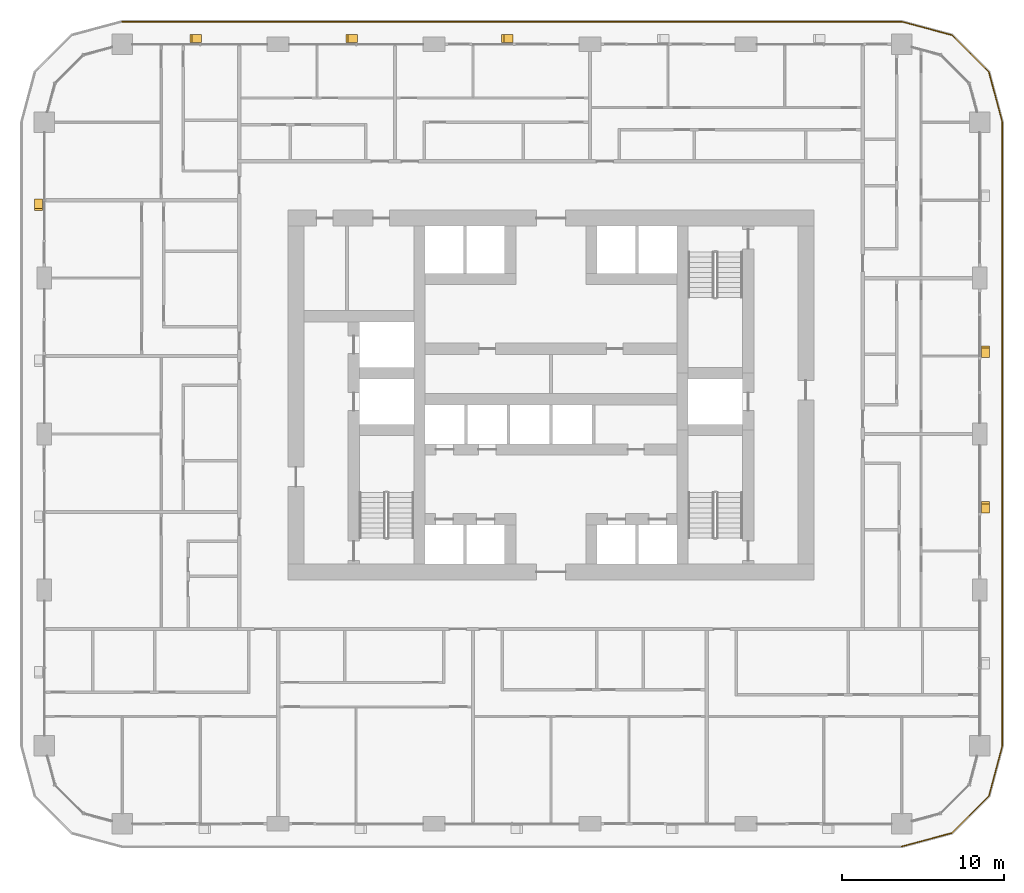
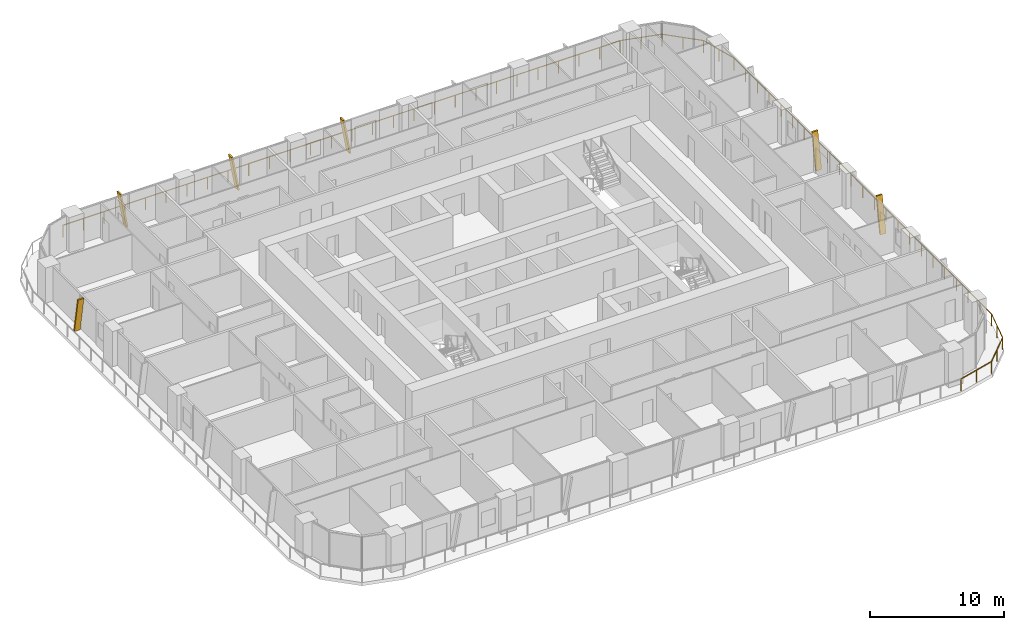
# One storey, part 20 of 21: 6 shading devices, 1 railing.
"""IFC4 building model written with IfcOpenShell, lengths in metres."""

import ifcopenshell
import ifcopenshell.guid

model = None  # the IFC model being written
_history = None  # IfcOwnerHistory: only IFC2X3 demands one
_inside = {}  # id of a spatial element -> (the spatial element, [elements in it])
_under = {}  # id of a project, library or spatial element -> (it, [spatial elements below it])
_declared = {}  # id of a project -> (the project, [libraries it declares])
_typed = {}  # id of a type object -> (the type object, [elements of that type])
_made_of = {}  # id of a material, layer set ... -> (it, [elements and type objects made of it])


def new_model(schema):
    """Start an empty IFC model of exactly this schema.

    Asked for "IFC4X3", IfcOpenShell would pick the latest addendum, in which some entities
    have other attributes; the version numbers below select the first issue.
    IFC2X3 requires an IfcOwnerHistory on every rooted entity: one is made here for all.
    """
    global model, _history
    if schema == "IFC4X3":
        model = ifcopenshell.file(schema_version=(4, 3, 0, 0))
    else:
        model = ifcopenshell.file(schema=schema)
    _inside.clear()
    _under.clear()
    _declared.clear()
    _typed.clear()
    _made_of.clear()
    _history = None
    if model.schema == "IFC2X3":
        org = make("IfcOrganization", Name="unknown")
        user = make(
            "IfcPersonAndOrganization",
            ThePerson=make("IfcPerson", FamilyName="unknown"),
            TheOrganization=org,
        )
        app = make(
            "IfcApplication",
            ApplicationDeveloper=org,
            Version="unknown",
            ApplicationFullName="unknown",
            ApplicationIdentifier="unknown",
        )
        _history = make(
            "IfcOwnerHistory",
            OwningUser=user,
            OwningApplication=app,
            ChangeAction="ADDED",
            CreationDate=0,
        )
    return model


def make(cls, **values):
    """One entity of the class cls with the attributes given. An attribute that is None is left unset."""
    return model.create_entity(
        cls, **{name: value for name, value in values.items() if value is not None}
    )


def rooted(cls, **values):
    """An entity with a GlobalId (a new one), such as an element, a storey or a relation."""
    return make(cls, GlobalId=ifcopenshell.guid.new(), OwnerHistory=_history, **values)


def si_unit(unit_type, name, prefix=None):
    """IfcSIUnit, for example si_unit("LENGTHUNIT", "METRE", prefix="MILLI")."""
    return make("IfcSIUnit", UnitType=unit_type, Prefix=prefix, Name=name)


def assignment(units):
    """IfcUnitAssignment: the units of a project."""
    return None if units is None else make("IfcUnitAssignment", Units=units)


def point(xyz):
    """IfcCartesianPoint."""
    return None if xyz is None else make("IfcCartesianPoint", Coordinates=xyz)


def direction(xyz):
    """IfcDirection."""
    return None if xyz is None else make("IfcDirection", DirectionRatios=xyz)


def frame(location, z_axis=None, x_axis=None):
    """IfcAxis2Placement3D, a coordinate frame: its origin and axes. An axis left out is left unset."""
    return make(
        "IfcAxis2Placement3D",
        Location=point(location),
        Axis=direction(z_axis),
        RefDirection=direction(x_axis),
    )


def frame_2d(location, x_axis=None):
    """IfcAxis2Placement2D, a coordinate frame in the plane: its origin and x axis."""
    return make(
        "IfcAxis2Placement2D", Location=point(location), RefDirection=direction(x_axis)
    )


def origin():
    """The frame at (0, 0, 0) with its axes left unset."""
    return frame((0.0, 0.0, 0.0))


def origin_2d():
    """The frame at (0, 0) in the plane with its x axis left unset."""
    return frame_2d((0.0, 0.0))


def place(relative_to, where):
    """IfcLocalPlacement: puts the frame where relative to a parent placement (None: the world)."""
    return make(
        "IfcLocalPlacement", PlacementRelTo=relative_to, RelativePlacement=where
    )


def context(
    kind, dimensions, precision=None, world=None, true_north=None, identifier=None
):
    """IfcGeometricRepresentationContext, for example the 3D "Model" context."""
    return make(
        "IfcGeometricRepresentationContext",
        ContextIdentifier=identifier,
        ContextType=kind,
        CoordinateSpaceDimension=dimensions,
        Precision=precision,
        WorldCoordinateSystem=world,
        TrueNorth=true_north,
    )


def subcontext(parent, identifier, kind, view, scale=None):
    """IfcGeometricRepresentationSubContext, for example "Body" below "Model"."""
    return make(
        "IfcGeometricRepresentationSubContext",
        ContextIdentifier=identifier,
        ContextType=kind,
        ParentContext=parent,
        TargetScale=scale,
        TargetView=view,
    )


def project(units=None, contexts=None):
    """IfcProject with its units and contexts."""
    return rooted(
        "IfcProject",
        Name="project",
        RepresentationContexts=contexts,
        UnitsInContext=assignment(units),
    )


def spatial(cls, under=None, at=None, **own):
    """A site, building, storey or space (cls), placed at a placement, below another one or the project."""
    s = rooted(cls, ObjectPlacement=at, **own)
    if under is not None:
        _under.setdefault(under.id(), (under, []))[1].append(s)
    return s


def polyline(points):
    """IfcPolyline through the points."""
    return make("IfcPolyline", Points=[point(p) for p in points])


def profile(cls, at=None, kind="AREA", **sizes):
    """A parametric profile (cls). Its sizes go by their IFC names, for example OverallWidth=200.0."""
    return make(cls, ProfileType=kind, Position=at, **sizes)


def circle(**sizes):
    """IfcCircleProfileDef."""
    return profile("IfcCircleProfileDef", **sizes)


def outline(outer, holes=None, kind="AREA"):
    """IfcArbitraryClosedProfileDef: a profile drawn as a closed curve; with holes, ...WithVoids."""
    if holes is None:
        return make("IfcArbitraryClosedProfileDef", ProfileType=kind, OuterCurve=outer)
    return make(
        "IfcArbitraryProfileDefWithVoids",
        ProfileType=kind,
        OuterCurve=outer,
        InnerCurves=holes,
    )


def extrude(swept, where, along, depth):
    """IfcExtrudedAreaSolid: the profile swept, set in the frame where, extruded along a direction by depth."""
    return make(
        "IfcExtrudedAreaSolid",
        SweptArea=swept,
        Position=where,
        ExtrudedDirection=direction(along),
        Depth=depth,
    )


def shape(context_of_items, identifier, shape_type, items):
    """IfcShapeRepresentation: the items that make up one representation, for example the "Body"."""
    return make(
        "IfcShapeRepresentation",
        ContextOfItems=context_of_items,
        RepresentationIdentifier=identifier,
        RepresentationType=shape_type,
        Items=items,
    )


def material(Name=None, Category=None):
    """IfcMaterial."""
    return make("IfcMaterial", Name=Name, Category=Category)


def made_of(thing, what):
    """Note that an element or type object is made of a material, layer set ...; save() writes the relation."""
    if what is not None:
        _made_of.setdefault(what.id(), (what, []))[1].append(thing)
    return thing


def type_object(cls, material=None, **own):
    """A type object (cls), such as IfcWallType, which elements share."""
    return made_of(rooted(cls, **own), material)


def element(
    cls,
    number,
    at=None,
    inside=None,
    cuts=None,
    type_object=None,
    material=None,
    context=None,
    identifier="Body",
    shape_type=None,
    held_by="IfcProductDefinitionShape",
    body=None,
    shapes=None,
    **own,
):
    """One element of the class cls, such as IfcWall. Its Tag is "e" and its number.

    at: its placement. inside: the storey or other place that contains it. cuts: it is an
    opening in that element (IfcRelVoidsElement). A single representation is given by context,
    identifier, shape_type and body (its items); several are given by shapes. held_by: the class
    of the entity that holds the representations. save() writes the other relations.
    """
    e = rooted(cls, Tag="e%d" % number, ObjectPlacement=at, **own)
    if body is not None:
        shapes = [shape(context, identifier, shape_type, body)]
    if shapes is not None:
        e.Representation = make(held_by, Representations=shapes)
    if inside is not None:
        _inside.setdefault(inside.id(), (inside, []))[1].append(e)
    if cuts is not None:
        rooted(
            "IfcRelVoidsElement", RelatingBuildingElement=cuts, RelatedOpeningElement=e
        )
    if type_object is not None:
        _typed.setdefault(type_object.id(), (type_object, []))[1].append(e)
    return made_of(e, material)


def aggregate(whole, parts):
    """IfcRelAggregates: a whole, such as a stair, and the parts it consists of."""
    return rooted("IfcRelAggregates", RelatingObject=whole, RelatedObjects=parts)


def save(model, path):
    """Write the relations noted so far, then the file.

    IfcRelAggregates (storeys below a building ...), IfcRelContainedInSpatialStructure (elements
    in a storey), IfcRelDefinesByType, IfcRelAssociatesMaterial and IfcRelDeclares: one each for
    every whole, place, type object, material and project.
    """
    for whole, parts in _under.values():
        aggregate(whole, parts)
    for where, things in _inside.values():
        rooted(
            "IfcRelContainedInSpatialStructure",
            RelatedElements=things,
            RelatingStructure=where,
        )
    for kind, things in _typed.values():
        rooted("IfcRelDefinesByType", RelatedObjects=things, RelatingType=kind)
    for what, things in _made_of.values():
        rooted("IfcRelAssociatesMaterial", RelatedObjects=things, RelatingMaterial=what)
    for by, libraries in _declared.values():
        rooted("IfcRelDeclares", RelatingContext=by, RelatedDefinitions=libraries)
    model.write(path)


model = new_model("IFC4")

# Units and contexts
model_context = context("Model", 3, precision=1e-05, world=origin(), true_north=direction((0.0, 1.0)))
body_context = subcontext(model_context, "Body", "Model", "MODEL_VIEW")
ifc_project = project(units=[si_unit("LENGTHUNIT", "METRE"), si_unit("AREAUNIT", "SQUARE_METRE"), si_unit("VOLUMEUNIT", "CUBIC_METRE"), si_unit("PLANEANGLEUNIT", "RADIAN"), si_unit("MASSUNIT", "GRAM", prefix="KILO")], contexts=[model_context])

# Site, building, storey
site_placement = place(None, origin())
site = spatial("IfcSite", under=ifc_project, at=site_placement, CompositionType="ELEMENT")
building_placement = place(site_placement, origin())
building = spatial("IfcBuilding", under=site, at=building_placement, Name="Madar Terraces", CompositionType="ELEMENT")
storey_placement = place(building_placement, frame((0.0, 0.0, 39.89990234375)))
storey = spatial("IfcBuildingStorey", under=building, at=storey_placement, Name="L09", CompositionType="ELEMENT", Elevation=39.89990234375)

# Railing
ifc_material_1 = material(Name="Glass, safety glazing, with stainless steel posts", Category="steel")
railing_type = type_object("IfcRailingType", Name="Balcony glass guard 1100", PredefinedType="GUARDRAIL", material=ifc_material_1)
railing_placement = place(storey_placement, frame((52.800048828125, -1.39990234375, 0.0)))
element("IfcRailing", 1, at=railing_placement, inside=storey, type_object=railing_type, Name="Balcony guard", PredefinedType="GUARDRAIL", context=body_context, shape_type="SweptSolid", body=[
    extrude(circle(Radius=0.02392578125, at=origin_2d()), frame((0.0, 0.0, 1.076171875), z_axis=(0.965928696102, 0.258808334578, 0.0), x_axis=(-0.258808334578, 0.965928696102, 0.0)), (0.0, 0.0, 1.0), 3.209228515625),
    extrude(circle(Radius=0.02392578125, at=origin_2d()), frame((3.099853515625, 0.83056640625, 1.076171875), z_axis=(0.707144815061, 0.707068745266, 0.0), x_axis=(-0.707068745266, 0.707144815061, 0.0)), (0.0, 0.0, 1.0), 3.20947265625),
    extrude(circle(Radius=0.02392578125, at=origin_2d()), frame((5.369384765625, 3.099853515625, 1.076171875), z_axis=(0.258789317819, 0.9659337912, 0.0), x_axis=(-0.9659337912, 0.258789317819, 0.0)), (0.0, 0.0, 1.0), 3.20947265625),
    extrude(circle(Radius=0.02392578125, at=origin_2d()), frame((6.199951171875, 6.199951171875, 1.076171875), z_axis=(0.0, 1.0, 0.0), x_axis=(-1.0, 0.0, 0.0)), (0.0, 0.0, 1.0), 38.39990234375),
    extrude(circle(Radius=0.02392578125, at=origin_2d()), frame((6.199951171875, 44.599853515625, 1.076171875), z_axis=(-0.258789317819, 0.9659337912, 0.0), x_axis=(-0.9659337912, -0.258789317819, 0.0)), (0.0, 0.0, 1.0), 3.20947265625),
    extrude(circle(Radius=0.02392578125, at=origin_2d()), frame((5.369384765625, 47.699951171875, 1.076171875), z_axis=(-0.707144815061, 0.707068745266, 0.0), x_axis=(-0.707068745266, -0.707144815061, 0.0)), (0.0, 0.0, 1.0), 3.20947265625),
    extrude(circle(Radius=0.02392578125, at=origin_2d()), frame((3.099853515625, 49.96923828125, 1.076171875), z_axis=(-0.965928696102, 0.258808334578, 0.0), x_axis=(-0.258808334578, -0.965928696102, 0.0)), (0.0, 0.0, 1.0), 3.209228515625),
    extrude(circle(Radius=0.02392578125, at=origin_2d()), frame((0.0, 50.7998046875, 1.076171875), z_axis=(-1.0, 0.0, 0.0), x_axis=(0.0, -1.0, 0.0)), (0.0, 0.0, 1.0), 48.0),
    extrude(circle(Radius=0.02099609375, at=origin_2d()), origin(), (0.0, 0.0, 1.0), 1.052001953125),
    extrude(circle(Radius=0.02099609375, at=origin_2d()), frame((1.5498046875, 0.415283203125, 0.0)), (0.0, 0.0, 1.0), 1.052001953125),
    extrude(circle(Radius=0.02099609375, at=origin_2d()), frame((3.099853515625, 0.83056640625, 0.0)), (0.0, 0.0, 1.0), 1.052001953125),
    extrude(circle(Radius=0.02099609375, at=origin_2d()), frame((4.234619140625, 1.96533203125, 0.0)), (0.0, 0.0, 1.0), 1.052001953125),
    extrude(circle(Radius=0.02099609375, at=origin_2d()), frame((5.369384765625, 3.099853515625, 0.0)), (0.0, 0.0, 1.0), 1.052001953125),
    extrude(circle(Radius=0.02099609375, at=origin_2d()), frame((5.78466796875, 4.64990234375, 0.0)), (0.0, 0.0, 1.0), 1.052001953125),
    extrude(circle(Radius=0.02099609375, at=origin_2d()), frame((6.199951171875, 6.199951171875, 0.0)), (0.0, 0.0, 1.0), 1.052001953125),
    extrude(circle(Radius=0.02099609375, at=origin_2d()), frame((6.199951171875, 7.9453125, 0.0)), (0.0, 0.0, 1.0), 1.052001953125),
    extrude(circle(Radius=0.02099609375, at=origin_2d()), frame((6.199951171875, 9.69091796875, 0.0)), (0.0, 0.0, 1.0), 1.052001953125),
    extrude(circle(Radius=0.02099609375, at=origin_2d()), frame((6.199951171875, 11.436279296875, 0.0)), (0.0, 0.0, 1.0), 1.052001953125),
    extrude(circle(Radius=0.02099609375, at=origin_2d()), frame((6.199951171875, 13.181640625, 0.0)), (0.0, 0.0, 1.0), 1.052001953125),
    extrude(circle(Radius=0.02099609375, at=origin_2d()), frame((6.199951171875, 14.92724609375, 0.0)), (0.0, 0.0, 1.0), 1.052001953125),
    extrude(circle(Radius=0.02099609375, at=origin_2d()), frame((6.199951171875, 16.672607421875, 0.0)), (0.0, 0.0, 1.0), 1.052001953125),
    extrude(circle(Radius=0.02099609375, at=origin_2d()), frame((6.199951171875, 18.418212890625, 0.0)), (0.0, 0.0, 1.0), 1.052001953125),
    extrude(circle(Radius=0.02099609375, at=origin_2d()), frame((6.199951171875, 20.16357421875, 0.0)), (0.0, 0.0, 1.0), 1.052001953125),
    extrude(circle(Radius=0.02099609375, at=origin_2d()), frame((6.199951171875, 21.908935546875, 0.0)), (0.0, 0.0, 1.0), 1.052001953125),
    extrude(circle(Radius=0.02099609375, at=origin_2d()), frame((6.199951171875, 23.654541015625, 0.0)), (0.0, 0.0, 1.0), 1.052001953125),
    extrude(circle(Radius=0.02099609375, at=origin_2d()), frame((6.199951171875, 25.39990234375, 0.0)), (0.0, 0.0, 1.0), 1.052001953125),
    extrude(circle(Radius=0.02099609375, at=origin_2d()), frame((6.199951171875, 27.145263671875, 0.0)), (0.0, 0.0, 1.0), 1.052001953125),
    extrude(circle(Radius=0.02099609375, at=origin_2d()), frame((6.199951171875, 28.890869140625, 0.0)), (0.0, 0.0, 1.0), 1.052001953125),
    extrude(circle(Radius=0.02099609375, at=origin_2d()), frame((6.199951171875, 30.63623046875, 0.0)), (0.0, 0.0, 1.0), 1.052001953125),
    extrude(circle(Radius=0.02099609375, at=origin_2d()), frame((6.199951171875, 32.381591796875, 0.0)), (0.0, 0.0, 1.0), 1.052001953125),
    extrude(circle(Radius=0.02099609375, at=origin_2d()), frame((6.199951171875, 34.127197265625, 0.0)), (0.0, 0.0, 1.0), 1.052001953125),
    extrude(circle(Radius=0.02099609375, at=origin_2d()), frame((6.199951171875, 35.87255859375, 0.0)), (0.0, 0.0, 1.0), 1.052001953125),
    extrude(circle(Radius=0.02099609375, at=origin_2d()), frame((6.199951171875, 37.6181640625, 0.0)), (0.0, 0.0, 1.0), 1.052001953125),
    extrude(circle(Radius=0.02099609375, at=origin_2d()), frame((6.199951171875, 39.363525390625, 0.0)), (0.0, 0.0, 1.0), 1.052001953125),
    extrude(circle(Radius=0.02099609375, at=origin_2d()), frame((6.199951171875, 41.10888671875, 0.0)), (0.0, 0.0, 1.0), 1.052001953125),
    extrude(circle(Radius=0.02099609375, at=origin_2d()), frame((6.199951171875, 42.8544921875, 0.0)), (0.0, 0.0, 1.0), 1.052001953125),
    extrude(circle(Radius=0.02099609375, at=origin_2d()), frame((6.199951171875, 44.599853515625, 0.0)), (0.0, 0.0, 1.0), 1.052001953125),
    extrude(circle(Radius=0.02099609375, at=origin_2d()), frame((5.78466796875, 46.14990234375, 0.0)), (0.0, 0.0, 1.0), 1.052001953125),
    extrude(circle(Radius=0.02099609375, at=origin_2d()), frame((5.369384765625, 47.699951171875, 0.0)), (0.0, 0.0, 1.0), 1.052001953125),
    extrude(circle(Radius=0.02099609375, at=origin_2d()), frame((4.234619140625, 48.83447265625, 0.0)), (0.0, 0.0, 1.0), 1.052001953125),
    extrude(circle(Radius=0.02099609375, at=origin_2d()), frame((3.099853515625, 49.96923828125, 0.0)), (0.0, 0.0, 1.0), 1.052001953125),
    extrude(circle(Radius=0.02099609375, at=origin_2d()), frame((1.5498046875, 50.384521484375, 0.0)), (0.0, 0.0, 1.0), 1.052001953125),
    extrude(circle(Radius=0.02099609375, at=origin_2d()), frame((0.0, 50.7998046875, 0.0)), (0.0, 0.0, 1.0), 1.052001953125),
    extrude(circle(Radius=0.02099609375, at=origin_2d()), frame((-1.77783203125, 50.7998046875, 0.0)), (0.0, 0.0, 1.0), 1.052001953125),
    extrude(circle(Radius=0.02099609375, at=origin_2d()), frame((-3.5556640625, 50.7998046875, 0.0)), (0.0, 0.0, 1.0), 1.052001953125),
    extrude(circle(Radius=0.02099609375, at=origin_2d()), frame((-5.333251953125, 50.7998046875, 0.0)), (0.0, 0.0, 1.0), 1.052001953125),
    extrude(circle(Radius=0.02099609375, at=origin_2d()), frame((-7.111083984375, 50.7998046875, 0.0)), (0.0, 0.0, 1.0), 1.052001953125),
    extrude(circle(Radius=0.02099609375, at=origin_2d()), frame((-8.888916015625, 50.7998046875, 0.0)), (0.0, 0.0, 1.0), 1.052001953125),
    extrude(circle(Radius=0.02099609375, at=origin_2d()), frame((-10.666748046875, 50.7998046875, 0.0)), (0.0, 0.0, 1.0), 1.052001953125),
    extrude(circle(Radius=0.02099609375, at=origin_2d()), frame((-12.4443359375, 50.7998046875, 0.0)), (0.0, 0.0, 1.0), 1.052001953125),
    extrude(circle(Radius=0.02099609375, at=origin_2d()), frame((-14.22216796875, 50.7998046875, 0.0)), (0.0, 0.0, 1.0), 1.052001953125),
    extrude(circle(Radius=0.02099609375, at=origin_2d()), frame((-16.0, 50.7998046875, 0.0)), (0.0, 0.0, 1.0), 1.052001953125),
    extrude(circle(Radius=0.02099609375, at=origin_2d()), frame((-17.77783203125, 50.7998046875, 0.0)), (0.0, 0.0, 1.0), 1.052001953125),
    extrude(circle(Radius=0.02099609375, at=origin_2d()), frame((-19.5556640625, 50.7998046875, 0.0)), (0.0, 0.0, 1.0), 1.052001953125),
    extrude(circle(Radius=0.02099609375, at=origin_2d()), frame((-21.333251953125, 50.7998046875, 0.0)), (0.0, 0.0, 1.0), 1.052001953125),
    extrude(circle(Radius=0.02099609375, at=origin_2d()), frame((-23.111083984375, 50.7998046875, 0.0)), (0.0, 0.0, 1.0), 1.052001953125),
    extrude(circle(Radius=0.02099609375, at=origin_2d()), frame((-24.888916015625, 50.7998046875, 0.0)), (0.0, 0.0, 1.0), 1.052001953125),
    extrude(circle(Radius=0.02099609375, at=origin_2d()), frame((-26.666748046875, 50.7998046875, 0.0)), (0.0, 0.0, 1.0), 1.052001953125),
    extrude(circle(Radius=0.02099609375, at=origin_2d()), frame((-28.4443359375, 50.7998046875, 0.0)), (0.0, 0.0, 1.0), 1.052001953125),
    extrude(circle(Radius=0.02099609375, at=origin_2d()), frame((-30.22216796875, 50.7998046875, 0.0)), (0.0, 0.0, 1.0), 1.052001953125),
    extrude(circle(Radius=0.02099609375, at=origin_2d()), frame((-32.0, 50.7998046875, 0.0)), (0.0, 0.0, 1.0), 1.052001953125),
    extrude(circle(Radius=0.02099609375, at=origin_2d()), frame((-33.77783203125, 50.7998046875, 0.0)), (0.0, 0.0, 1.0), 1.052001953125),
    extrude(circle(Radius=0.02099609375, at=origin_2d()), frame((-35.5556640625, 50.7998046875, 0.0)), (0.0, 0.0, 1.0), 1.052001953125),
    extrude(circle(Radius=0.02099609375, at=origin_2d()), frame((-37.333251953125, 50.7998046875, 0.0)), (0.0, 0.0, 1.0), 1.052001953125),
    extrude(circle(Radius=0.02099609375, at=origin_2d()), frame((-39.111083984375, 50.7998046875, 0.0)), (0.0, 0.0, 1.0), 1.052001953125),
    extrude(circle(Radius=0.02099609375, at=origin_2d()), frame((-40.888916015625, 50.7998046875, 0.0)), (0.0, 0.0, 1.0), 1.052001953125),
    extrude(circle(Radius=0.02099609375, at=origin_2d()), frame((-42.666748046875, 50.7998046875, 0.0)), (0.0, 0.0, 1.0), 1.052001953125),
    extrude(circle(Radius=0.02099609375, at=origin_2d()), frame((-44.4443359375, 50.7998046875, 0.0)), (0.0, 0.0, 1.0), 1.052001953125),
    extrude(circle(Radius=0.02099609375, at=origin_2d()), frame((-46.22216796875, 50.7998046875, 0.0)), (0.0, 0.0, 1.0), 1.052001953125),
    extrude(circle(Radius=0.02099609375, at=origin_2d()), frame((-48.0, 50.7998046875, 0.0)), (0.0, 0.0, 1.0), 1.052001953125),
])

# Shading devices
ifc_material_2 = material(Name="Aluminium, black anodised", Category="aluminium")
shading_device_type = type_object("IfcShadingDeviceType", Name="Facade fin blade 140 x 500", PredefinedType="USERDEFINED", material=ifc_material_2)
for number, where, z_axis, x_axis, name in (
    (2, (57.949951171875, 19.1298828125, 0.0), (0.0, 0.0, 1.0), (0.0, 1.0, 0.0), "FIN L09 E2"),
    (3, (57.949951171875, 28.72998046875, 0.0), (0.0, 0.0, 1.0), (0.0, 1.0, 0.0), "FIN L09 E3"),
    (4, (28.8701171875, 48.35009765625, 0.0), (0.0, 0.0, 1.0), (-1.0, 0.0, 0.0), "FIN L09 N3"),
    (5, (19.27001953125, 48.35009765625, 0.0), (0.0, 0.0, 1.0), (-1.0, 0.0, 0.0), "FIN L09 N4"),
):
    element("IfcShadingDevice", number, at=place(storey_placement, frame(where, z_axis=z_axis, x_axis=x_axis)), inside=storey, type_object=shading_device_type, Name=name, ObjectType="FIN", PredefinedType="USERDEFINED", context=body_context, shape_type="SweptSolid", body=[
        extrude(outline(polyline([(0.0, 0.0), (0.14013671875, 0.0), (0.704345703125, 3.2001953125), (0.564208984375, 3.2001953125), (0.0, 0.0)])), frame((0.0, 0.25, 0.0), z_axis=(0.0, -1.0, 0.0), x_axis=(1.0, 0.0, 0.0)), (0.0, 0.0, 1.0), 0.5),
    ])
for number, where, z_axis, x_axis, name in (
    (6, (9.669921875, 48.35009765625, 0.0), (0.0, 0.0, 1.0), (-1.0, 0.0, 0.0), "FIN L09 N5"),
    (7, (-0.35009765625, 38.469970703125, 0.0), (0.0, 0.0, 1.0), (0.0, -1.0, 0.0), "FIN L09 W1"),
):
    element("IfcShadingDevice", number, at=place(storey_placement, frame(where, z_axis=z_axis, x_axis=x_axis)), inside=storey, type_object=shading_device_type, Name=name, ObjectType="FIN", PredefinedType="USERDEFINED", context=body_context, shape_type="SweptSolid", body=[
        extrude(outline(polyline([(0.0, 0.0), (0.139892578125, 0.0), (0.704345703125, 3.2001953125), (0.564208984375, 3.2001953125), (0.0, 0.0)])), frame((0.0, 0.25, 0.0), z_axis=(0.0, -1.0, 0.0), x_axis=(1.0, 0.0, 0.0)), (0.0, 0.0, 1.0), 0.5),
    ])

save(model, "model.ifc")
